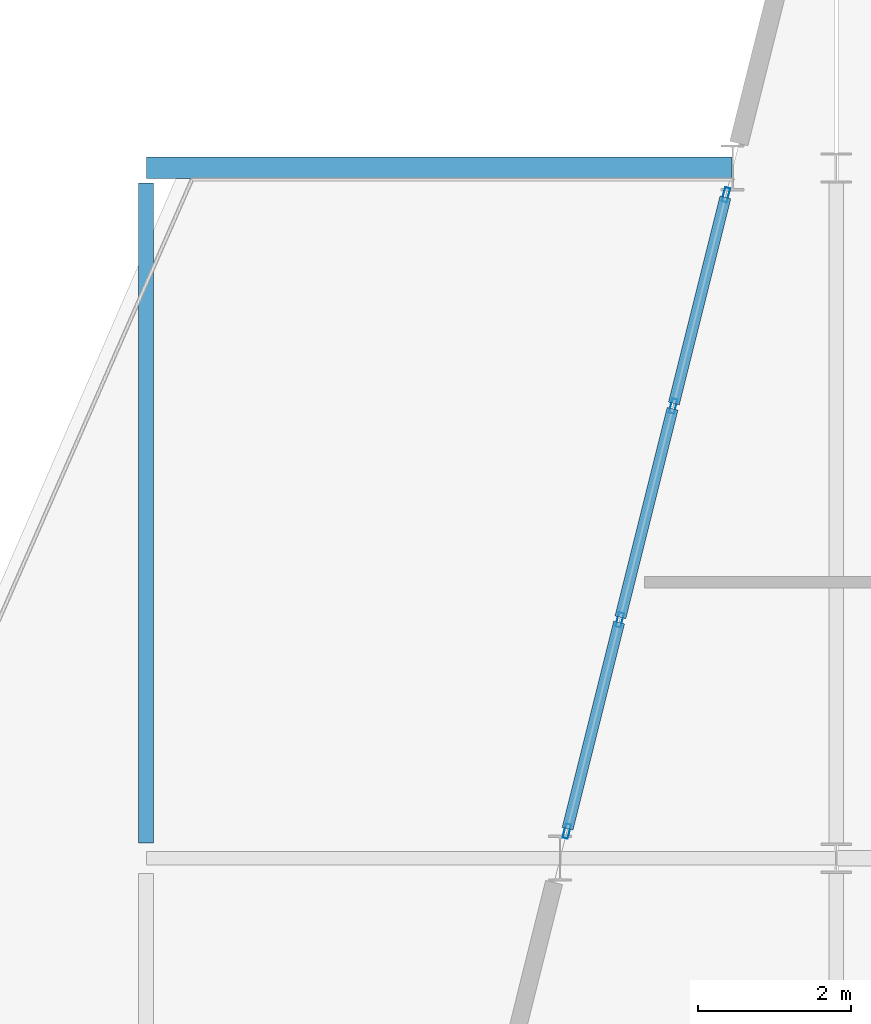
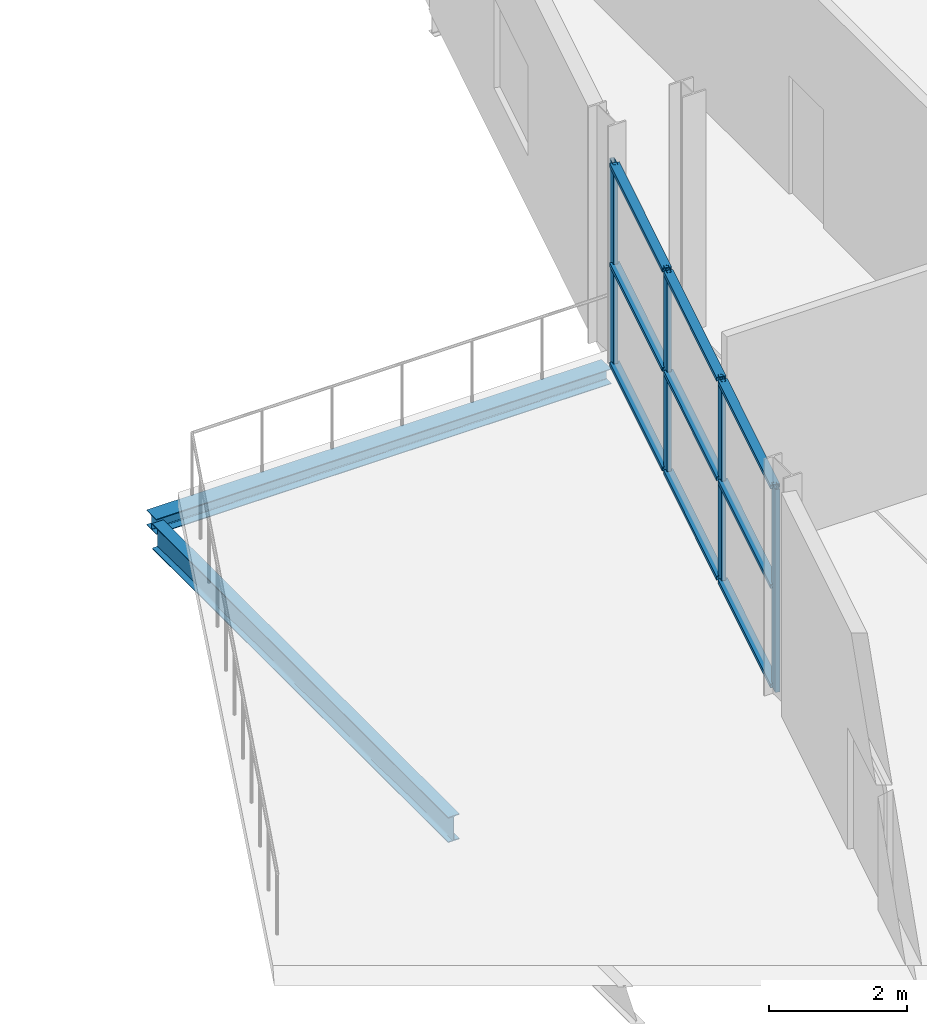
# One storey, part 15 of 44: 13 members, 2 beams, 1 element without a shape of its own.
"""IFC4 building model written with IfcOpenShell, lengths in metres."""

from ifc_helpers import new_model, si_unit, direction, frame, origin, origin_2d, place, context, subcontext, project, spatial, hollow_rectangle, i_section, extrude, material, layer, layer_set, material_profile, profile_set, type_object, element, aggregate, save


model = new_model("IFC4")

# Units and contexts
model_context = context("Model", 3, precision=1e-05, world=origin(), true_north=direction((0.0, 1.0)))
body_context = subcontext(model_context, "Body", "Model", "MODEL_VIEW")
ifc_project = project(units=[si_unit("LENGTHUNIT", "METRE"), si_unit("AREAUNIT", "SQUARE_METRE"), si_unit("VOLUMEUNIT", "CUBIC_METRE"), si_unit("PLANEANGLEUNIT", "RADIAN"), si_unit("MASSUNIT", "GRAM", prefix="KILO")], contexts=[model_context])

# Site, building, storey
site_placement = place(None, origin())
site = spatial("IfcSite", under=ifc_project, at=site_placement, CompositionType="ELEMENT")
building_placement = place(site_placement, origin())
building = spatial("IfcBuilding", under=site, at=building_placement, Name="Deido Ridge Mobility Hub", CompositionType="ELEMENT")
storey_placement = place(building_placement, frame((0.0, 0.0, 25.199951171875)))
storey = spatial("IfcBuildingStorey", under=building, at=storey_placement, Name="L06", CompositionType="ELEMENT", Elevation=25.199951171875)

# Beam
ifc_material_1 = material(Name="Steel S355J2 EN 10025-2", Category="steel")
ifc_material_profile_1 = material_profile(ifc_material_1, i_section(OverallWidth=0.18994140625, OverallDepth=0.449951171875, WebThickness=0.009521484375, FlangeThickness=0.0146484375, FilletRadius=0.02099609375, at=origin_2d()), Name="IPE 450")
ifc_profile_set_1 = profile_set([ifc_material_profile_1], Name="Steel S355J2 EN 10025-2")
beam_type_1 = type_object("IfcBeamType", Name="BM-IPE450", PredefinedType="BEAM", material=ifc_profile_set_1)
beam_1_placement = place(storey_placement, frame((135.0, 18.199951171875, -0.46484375), z_axis=(0.0, 1.0, 0.0), x_axis=(-1.0, 0.0, 0.0)))
element("IfcBeam", 1, at=beam_1_placement, inside=storey, type_object=beam_type_1, Name="Floor beam B4", PredefinedType="BEAM", context=body_context, shape_type="SweptSolid", body=[
    extrude(i_section(OverallWidth=0.18994140625, OverallDepth=0.449951171875, WebThickness=0.009521484375, FlangeThickness=0.0146484375, FilletRadius=0.02099609375, at=origin_2d()), origin(), (0.0, 0.0, 1.0), 8.60009765625),
])

# Curtain wall, members
ifc_material_2 = material(Name="Anodised aluminium EN AW-6063 T6", Category="aluminium")
ifc_layer = layer(ifc_material_2, 0.239990234375, Name="Anodised aluminium EN AW-6063 T6")
ifc_layer_set = layer_set([ifc_layer], Name="Anodised aluminium EN AW-6063 T6")
curtain_wall_type = type_object("IfcCurtainWallType", Name="CW-UF-6", PredefinedType="USERDEFINED", material=ifc_layer_set)
curtain_wall_placement = place(storey_placement, origin())
curtain_wall = element("IfcCurtainWall", 2, at=curtain_wall_placement, inside=storey, type_object=curtain_wall_type, Name="Unitised curtain wall CW6", ObjectType="UNITISED FACADE", PredefinedType="USERDEFINED")
ifc_material_profile_2 = material_profile(ifc_material_2, hollow_rectangle(XDim=0.070068359375, YDim=0.18994140625, WallThickness=0.00390625, at=origin_2d()), Name="RHS 70x190x4")
ifc_profile_set_2 = profile_set([ifc_material_profile_2], Name="Anodised aluminium EN AW-6063 T6")
member_type_1 = type_object("IfcMemberType", Name="MEM-MUL-70X190", PredefinedType="MULLION", material=ifc_profile_set_2)
member_1_placement = place(storey_placement, frame((140.48779296875, 18.3515625, 0.0), z_axis=(0.0, 0.0, 1.0), x_axis=(-0.970142500145, 0.242535625038, 0.0)))
member_1 = element("IfcMember", 3, at=member_1_placement, type_object=member_type_1, Name="CW6 mullion 1", PredefinedType="MULLION", context=body_context, shape_type="SweptSolid", body=[
    extrude(hollow_rectangle(XDim=0.070068359375, YDim=0.18994140625, WallThickness=0.00390625, at=origin_2d()), origin(), (0.0, 0.0, 1.0), 3.60009765625),
])
member_2_placement = place(storey_placement, frame((141.176513671875, 21.10595703125, 0.0), z_axis=(0.0, 0.0, 1.0), x_axis=(-0.970142500145, 0.242535625038, 0.0)))
member_2 = element("IfcMember", 4, at=member_2_placement, type_object=member_type_1, Name="CW6 mullion 2", PredefinedType="MULLION", context=body_context, shape_type="SweptSolid", body=[
    extrude(hollow_rectangle(XDim=0.070068359375, YDim=0.18994140625, WallThickness=0.00390625, at=origin_2d()), origin(), (0.0, 0.0, 1.0), 3.60009765625),
])
member_3_placement = place(storey_placement, frame((141.87353515625, 23.89404296875, 0.0), z_axis=(0.0, 0.0, 1.0), x_axis=(-0.970142500145, 0.242535625038, 0.0)))
member_3 = element("IfcMember", 5, at=member_3_placement, type_object=member_type_1, Name="CW6 mullion 3", PredefinedType="MULLION", context=body_context, shape_type="SweptSolid", body=[
    extrude(hollow_rectangle(XDim=0.070068359375, YDim=0.18994140625, WallThickness=0.00390625, at=origin_2d()), origin(), (0.0, 0.0, 1.0), 3.60009765625),
])
member_4_placement = place(storey_placement, frame((142.56201171875, 26.6484375, 0.0), z_axis=(0.0, 0.0, 1.0), x_axis=(-0.970142500145, 0.242535625038, 0.0)))
member_4 = element("IfcMember", 6, at=member_4_placement, type_object=member_type_1, Name="CW6 mullion 4", PredefinedType="MULLION", context=body_context, shape_type="SweptSolid", body=[
    extrude(hollow_rectangle(XDim=0.070068359375, YDim=0.18994140625, WallThickness=0.00390625, at=origin_2d()), origin(), (0.0, 0.0, 1.0), 3.60009765625),
])
ifc_material_profile_3 = material_profile(ifc_material_2, hollow_rectangle(XDim=0.14501953125, YDim=0.070068359375, WallThickness=0.00390625, at=origin_2d()), Name="RHS 145x70x4")
ifc_profile_set_3 = profile_set([ifc_material_profile_3], Name="Anodised aluminium EN AW-6063 T6")
member_type_2 = type_object("IfcMemberType", Name="MEM-TRN-145X70", PredefinedType="USERDEFINED", material=ifc_profile_set_3)
member_5_placement = place(storey_placement, frame((140.496337890625, 18.385498046875, 0.03515625), z_axis=(0.242535625036, 0.970142500145, 0.0), x_axis=(-0.970142500145, 0.242535625036, 0.0)))
member_5 = element("IfcMember", 7, at=member_5_placement, type_object=member_type_2, Name="CW6 transom 1.1", ObjectType="TRANSOM", PredefinedType="USERDEFINED", context=body_context, shape_type="SweptSolid", body=[
    extrude(hollow_rectangle(XDim=0.14501953125, YDim=0.070068359375, WallThickness=0.00390625, at=origin_2d()), origin(), (0.0, 0.0, 1.0), 2.769287109375),
])
member_6_placement = place(storey_placement, frame((140.496337890625, 18.385498046875, 1.800048828125), z_axis=(0.242535625036, 0.970142500145, 0.0), x_axis=(-0.970142500145, 0.242535625036, 0.0)))
member_6 = element("IfcMember", 8, at=member_6_placement, type_object=member_type_2, Name="CW6 transom 1.2", ObjectType="TRANSOM", PredefinedType="USERDEFINED", context=body_context, shape_type="SweptSolid", body=[
    extrude(hollow_rectangle(XDim=0.14501953125, YDim=0.070068359375, WallThickness=0.00390625, at=origin_2d()), origin(), (0.0, 0.0, 1.0), 2.769287109375),
])
member_7_placement = place(storey_placement, frame((140.496337890625, 18.385498046875, 3.56494140625), z_axis=(0.242535625036, 0.970142500145, 0.0), x_axis=(-0.970142500145, 0.242535625036, 0.0)))
member_7 = element("IfcMember", 9, at=member_7_placement, type_object=member_type_2, Name="CW6 transom 1.3", ObjectType="TRANSOM", PredefinedType="USERDEFINED", context=body_context, shape_type="SweptSolid", body=[
    extrude(hollow_rectangle(XDim=0.14501953125, YDim=0.070068359375, WallThickness=0.00390625, at=origin_2d()), origin(), (0.0, 0.0, 1.0), 2.769287109375),
])
member_8_placement = place(storey_placement, frame((141.18505859375, 21.139892578125, 0.03515625), z_axis=(0.242494649908, 0.970152743008, 0.0), x_axis=(-0.970152743008, 0.242494649908, 0.0)))
member_8 = element("IfcMember", 10, at=member_8_placement, type_object=member_type_2, Name="CW6 transom 2.1", ObjectType="TRANSOM", PredefinedType="USERDEFINED", context=body_context, shape_type="SweptSolid", body=[
    extrude(hollow_rectangle(XDim=0.14501953125, YDim=0.070068359375, WallThickness=0.00390625, at=origin_2d()), origin(), (0.0, 0.0, 1.0), 2.803955078125),
])
member_9_placement = place(storey_placement, frame((141.18505859375, 21.139892578125, 1.800048828125), z_axis=(0.242494649908, 0.970152743008, 0.0), x_axis=(-0.970152743008, 0.242494649908, 0.0)))
member_9 = element("IfcMember", 11, at=member_9_placement, type_object=member_type_2, Name="CW6 transom 2.2", ObjectType="TRANSOM", PredefinedType="USERDEFINED", context=body_context, shape_type="SweptSolid", body=[
    extrude(hollow_rectangle(XDim=0.14501953125, YDim=0.070068359375, WallThickness=0.00390625, at=origin_2d()), origin(), (0.0, 0.0, 1.0), 2.803955078125),
])
member_10_placement = place(storey_placement, frame((141.18505859375, 21.139892578125, 3.56494140625), z_axis=(0.242494649908, 0.970152743008, 0.0), x_axis=(-0.970152743008, 0.242494649908, 0.0)))
member_10 = element("IfcMember", 12, at=member_10_placement, type_object=member_type_2, Name="CW6 transom 2.3", ObjectType="TRANSOM", PredefinedType="USERDEFINED", context=body_context, shape_type="SweptSolid", body=[
    extrude(hollow_rectangle(XDim=0.14501953125, YDim=0.070068359375, WallThickness=0.00390625, at=origin_2d()), origin(), (0.0, 0.0, 1.0), 2.803955078125),
])
member_11_placement = place(storey_placement, frame((141.882080078125, 23.927978515625, 0.03515625), z_axis=(0.242535625036, 0.970142500145, 0.0), x_axis=(-0.970142500145, 0.242535625036, 0.0)))
member_11 = element("IfcMember", 13, at=member_11_placement, type_object=member_type_2, Name="CW6 transom 3.1", ObjectType="TRANSOM", PredefinedType="USERDEFINED", context=body_context, shape_type="SweptSolid", body=[
    extrude(hollow_rectangle(XDim=0.14501953125, YDim=0.070068359375, WallThickness=0.00390625, at=origin_2d()), origin(), (0.0, 0.0, 1.0), 2.769287109375),
])
member_12_placement = place(storey_placement, frame((141.882080078125, 23.927978515625, 1.800048828125), z_axis=(0.242535625036, 0.970142500145, 0.0), x_axis=(-0.970142500145, 0.242535625036, 0.0)))
member_12 = element("IfcMember", 14, at=member_12_placement, type_object=member_type_2, Name="CW6 transom 3.2", ObjectType="TRANSOM", PredefinedType="USERDEFINED", context=body_context, shape_type="SweptSolid", body=[
    extrude(hollow_rectangle(XDim=0.14501953125, YDim=0.070068359375, WallThickness=0.00390625, at=origin_2d()), origin(), (0.0, 0.0, 1.0), 2.769287109375),
])
member_13_placement = place(storey_placement, frame((141.882080078125, 23.927978515625, 3.56494140625), z_axis=(0.242535625036, 0.970142500145, 0.0), x_axis=(-0.970142500145, 0.242535625036, 0.0)))
member_13 = element("IfcMember", 15, at=member_13_placement, type_object=member_type_2, Name="CW6 transom 3.3", ObjectType="TRANSOM", PredefinedType="USERDEFINED", context=body_context, shape_type="SweptSolid", body=[
    extrude(hollow_rectangle(XDim=0.14501953125, YDim=0.070068359375, WallThickness=0.00390625, at=origin_2d()), origin(), (0.0, 0.0, 1.0), 2.769287109375),
])
aggregate(curtain_wall, [member_1, member_2, member_3, member_4, member_5, member_6, member_7, member_8, member_9, member_10, member_11, member_12, member_13])

# Beam
ifc_material_profile_4 = material_profile(ifc_material_1, i_section(OverallWidth=0.280029296875, OverallDepth=0.27001953125, WebThickness=0.008056640625, FlangeThickness=0.012939453125, FilletRadius=0.02392578125, at=origin_2d()), Name="HEA 280")
ifc_profile_set_4 = profile_set([ifc_material_profile_4], Name="Steel S355J2 EN 10025-2")
beam_type_2 = type_object("IfcBeamType", Name="SPD-HEA280", PredefinedType="SPANDREL", material=ifc_profile_set_4)
beam_2_placement = place(storey_placement, frame((135.0068359375, 27.0, -0.375), z_axis=(1.0, 0.0, 0.0), x_axis=(0.0, 1.0, 0.0)))
element("IfcBeam", 16, at=beam_2_placement, inside=storey, type_object=beam_type_2, Name="Floor beam SP2", PredefinedType="SPANDREL", context=body_context, shape_type="SweptSolid", body=[
    extrude(i_section(OverallWidth=0.280029296875, OverallDepth=0.27001953125, WebThickness=0.008056640625, FlangeThickness=0.012939453125, FilletRadius=0.02392578125, at=origin_2d()), origin(), (0.0, 0.0, 1.0), 7.635498046875),
])

save(model, "model.ifc")
